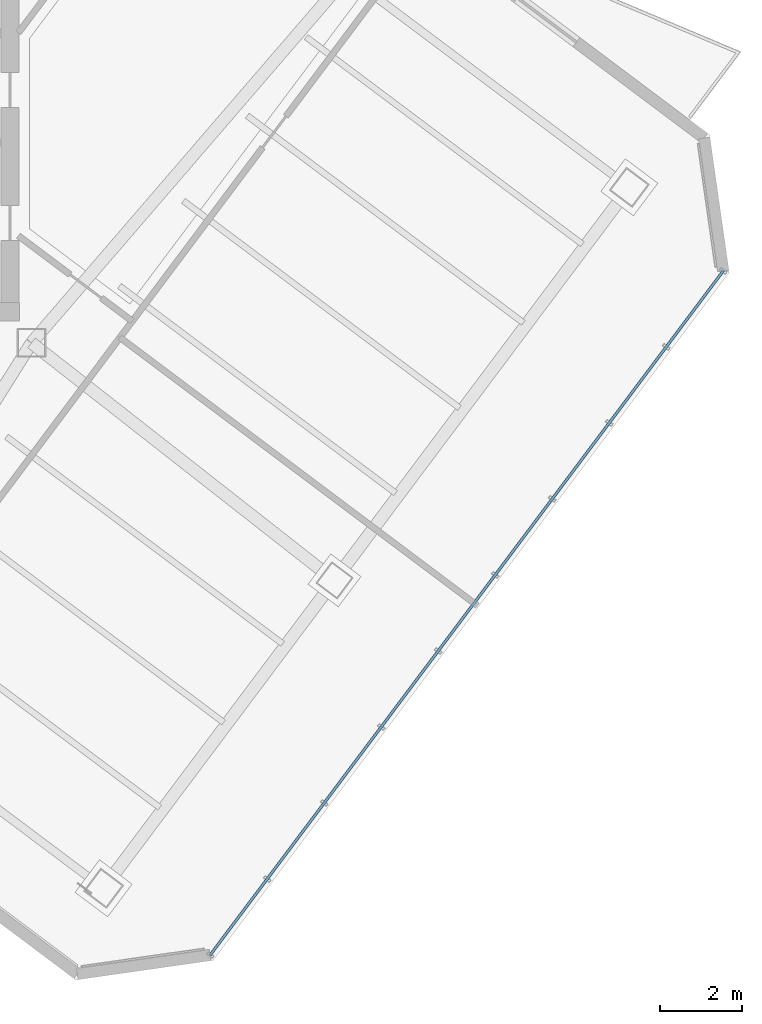
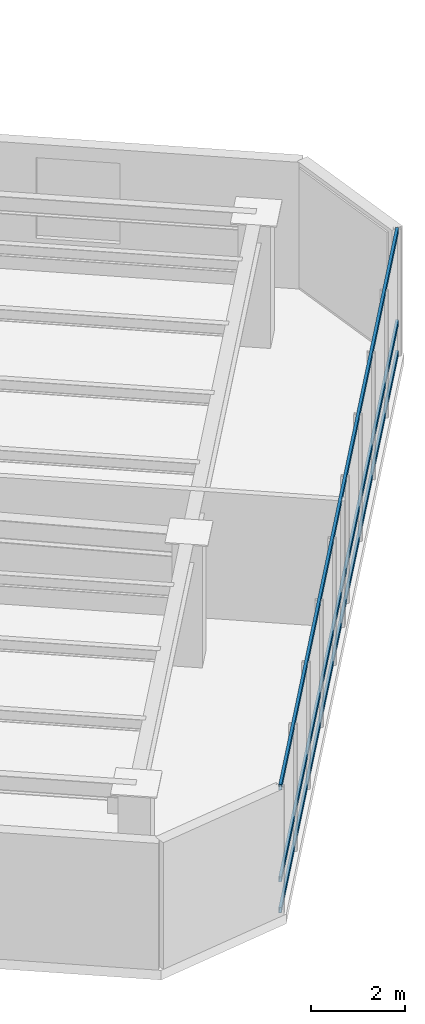
# One storey, part 12 of 25: 3 members, 1 element without a shape of its own.
"""IFC4 building model written with IfcOpenShell, lengths in metres."""

from ifc_helpers import new_model, si_unit, direction, frame, origin, origin_2d, place, context, subcontext, project, spatial, hollow_rectangle, extrude, material, layer, layer_set, material_profile, profile_set, type_object, element, aggregate, save


model = new_model("IFC4")

# Units and contexts
model_context = context("Model", 3, precision=1e-05, world=origin(), true_north=direction((0.0, 1.0)))
body_context = subcontext(model_context, "Body", "Model", "MODEL_VIEW")
ifc_project = project(units=[si_unit("LENGTHUNIT", "METRE"), si_unit("AREAUNIT", "SQUARE_METRE"), si_unit("VOLUMEUNIT", "CUBIC_METRE"), si_unit("PLANEANGLEUNIT", "RADIAN"), si_unit("MASSUNIT", "GRAM", prefix="KILO")], contexts=[model_context])

# Site, building, storey
site_placement = place(None, origin())
site = spatial("IfcSite", under=ifc_project, at=site_placement, CompositionType="ELEMENT")
building_placement = place(site_placement, origin())
building = spatial("IfcBuilding", under=site, at=building_placement, Name="Hatsunagi Terrace Concourse", CompositionType="ELEMENT")
storey_placement = place(building_placement, frame((0.0, 0.0, 231.14990234375)))
storey = spatial("IfcBuildingStorey", under=building, at=storey_placement, Name="L61", CompositionType="ELEMENT", Elevation=231.14990234375)

# Curtain wall, members
ifc_material_1 = material(Name="Anodised Aluminium Alloy 6063-T5", Category="aluminium")
ifc_layer = layer(ifc_material_1, 0.199951171875)
ifc_layer_set = layer_set([ifc_layer], Name="OfficeZone2_CW04")
curtain_wall_type = type_object("IfcCurtainWallType", Name="OfficeZone2_CW04", PredefinedType="NOTDEFINED", material=ifc_layer_set)
curtain_wall_placement = place(storey_placement, origin())
curtain_wall = element("IfcCurtainWall", 1, at=curtain_wall_placement, inside=storey, type_object=curtain_wall_type, Name="Unitised Curtain Wall CW-04 CW-L61-03", PredefinedType="NOTDEFINED")
ifc_material_2 = material(Name="Anodised Aluminium Alloy 6063-T5", Category="aluminium")
ifc_material_profile = material_profile(ifc_material_2, hollow_rectangle(XDim=0.06494140625, YDim=0.139892578125, WallThickness=0.00390625, at=origin_2d()), Name="ALU-TRN-140x65x4")
ifc_profile_set = profile_set([ifc_material_profile], Name="Anodised Aluminium Alloy 6063-T5")
member_type = type_object("IfcMemberType", Name="CurtainWallTransom_140x65", PredefinedType="USERDEFINED", material=ifc_profile_set)
member_1_placement = place(storey_placement, frame((60.693115234375, 25.9580078125, 0.050048828125), z_axis=(-0.599970072971, -0.800022444397, 0.0), x_axis=(0.800022444397, -0.599970072971, 0.0)))
member_1 = element("IfcMember", 2, at=member_1_placement, type_object=member_type, Name="Curtain Wall Transom TRN-02", ObjectType="TRANSOM", PredefinedType="USERDEFINED", context=body_context, shape_type="SweptSolid", body=[
    extrude(hollow_rectangle(XDim=0.06494140625, YDim=0.139892578125, WallThickness=0.00390625, at=origin_2d()), origin(), (0.0, 0.0, 1.0), 20.884521484375),
])
member_2_placement = place(storey_placement, frame((60.693115234375, 25.9580078125, 0.85009765625), z_axis=(-0.599970072971, -0.800022444397, 0.0), x_axis=(0.800022444397, -0.599970072971, 0.0)))
member_2 = element("IfcMember", 3, at=member_2_placement, type_object=member_type, Name="Curtain Wall Transom TRN-02", ObjectType="TRANSOM", PredefinedType="USERDEFINED", context=body_context, shape_type="SweptSolid", body=[
    extrude(hollow_rectangle(XDim=0.06494140625, YDim=0.139892578125, WallThickness=0.00390625, at=origin_2d()), origin(), (0.0, 0.0, 1.0), 20.884521484375),
])
member_3_placement = place(storey_placement, frame((60.693115234375, 25.9580078125, 3.25), z_axis=(-0.599970072971, -0.800022444397, 0.0), x_axis=(0.800022444397, -0.599970072971, 0.0)))
member_3 = element("IfcMember", 4, at=member_3_placement, type_object=member_type, Name="Curtain Wall Transom TRN-02", ObjectType="TRANSOM", PredefinedType="USERDEFINED", context=body_context, shape_type="SweptSolid", body=[
    extrude(hollow_rectangle(XDim=0.06494140625, YDim=0.139892578125, WallThickness=0.00390625, at=origin_2d()), origin(), (0.0, 0.0, 1.0), 20.884521484375),
])
aggregate(curtain_wall, [member_1, member_2, member_3])

save(model, "model.ifc")
